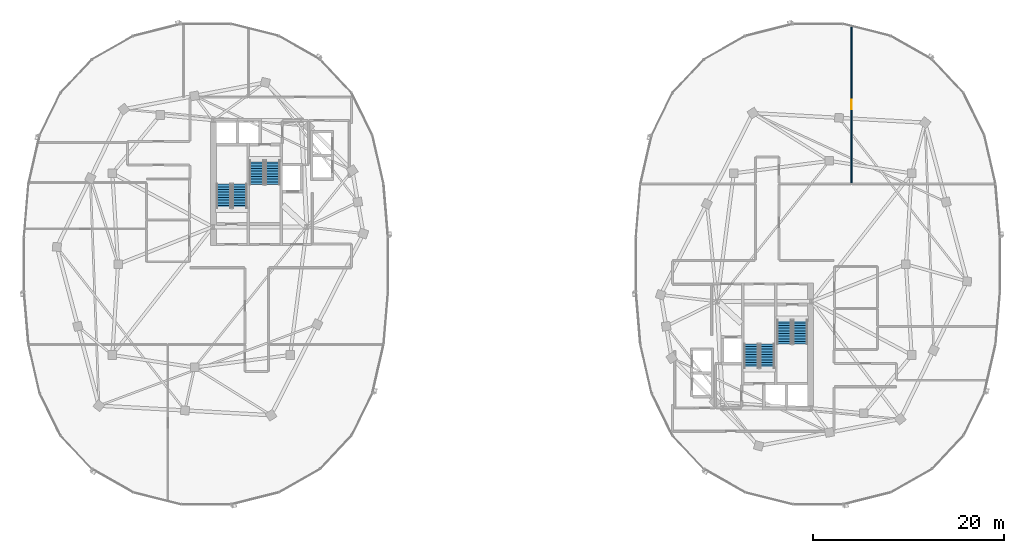
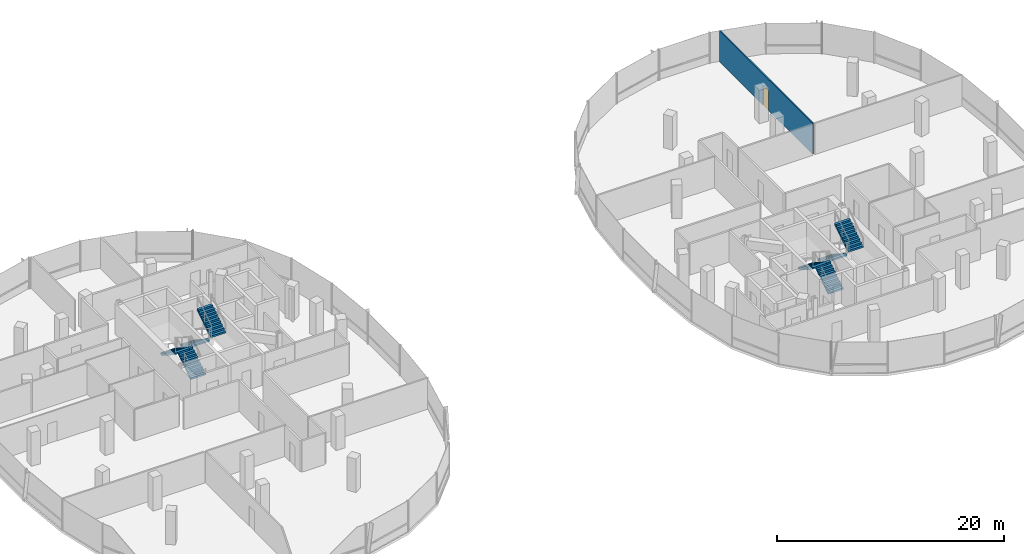
# One storey, part 18 of 25: 8 stair flights, 1 door, 1 wall, 1 opening, 4 elements without a shape of their own.
"""IFC4 building model written with IfcOpenShell, lengths in metres."""

import ifcopenshell
import ifcopenshell.guid

model = None  # the IFC model being written
_history = None  # IfcOwnerHistory: only IFC2X3 demands one
_inside = {}  # id of a spatial element -> (the spatial element, [elements in it])
_under = {}  # id of a project, library or spatial element -> (it, [spatial elements below it])
_declared = {}  # id of a project -> (the project, [libraries it declares])
_typed = {}  # id of a type object -> (the type object, [elements of that type])
_made_of = {}  # id of a material, layer set ... -> (it, [elements and type objects made of it])


def new_model(schema):
    """Start an empty IFC model of exactly this schema.

    Asked for "IFC4X3", IfcOpenShell would pick the latest addendum, in which some entities
    have other attributes; the version numbers below select the first issue.
    IFC2X3 requires an IfcOwnerHistory on every rooted entity: one is made here for all.
    """
    global model, _history
    if schema == "IFC4X3":
        model = ifcopenshell.file(schema_version=(4, 3, 0, 0))
    else:
        model = ifcopenshell.file(schema=schema)
    _inside.clear()
    _under.clear()
    _declared.clear()
    _typed.clear()
    _made_of.clear()
    _history = None
    if model.schema == "IFC2X3":
        org = make("IfcOrganization", Name="unknown")
        user = make(
            "IfcPersonAndOrganization",
            ThePerson=make("IfcPerson", FamilyName="unknown"),
            TheOrganization=org,
        )
        app = make(
            "IfcApplication",
            ApplicationDeveloper=org,
            Version="unknown",
            ApplicationFullName="unknown",
            ApplicationIdentifier="unknown",
        )
        _history = make(
            "IfcOwnerHistory",
            OwningUser=user,
            OwningApplication=app,
            ChangeAction="ADDED",
            CreationDate=0,
        )
    return model


def make(cls, **values):
    """One entity of the class cls with the attributes given. An attribute that is None is left unset."""
    return model.create_entity(
        cls, **{name: value for name, value in values.items() if value is not None}
    )


def rooted(cls, **values):
    """An entity with a GlobalId (a new one), such as an element, a storey or a relation."""
    return make(cls, GlobalId=ifcopenshell.guid.new(), OwnerHistory=_history, **values)


def si_unit(unit_type, name, prefix=None):
    """IfcSIUnit, for example si_unit("LENGTHUNIT", "METRE", prefix="MILLI")."""
    return make("IfcSIUnit", UnitType=unit_type, Prefix=prefix, Name=name)


def assignment(units):
    """IfcUnitAssignment: the units of a project."""
    return None if units is None else make("IfcUnitAssignment", Units=units)


def point(xyz):
    """IfcCartesianPoint."""
    return None if xyz is None else make("IfcCartesianPoint", Coordinates=xyz)


def direction(xyz):
    """IfcDirection."""
    return None if xyz is None else make("IfcDirection", DirectionRatios=xyz)


def frame(location, z_axis=None, x_axis=None):
    """IfcAxis2Placement3D, a coordinate frame: its origin and axes. An axis left out is left unset."""
    return make(
        "IfcAxis2Placement3D",
        Location=point(location),
        Axis=direction(z_axis),
        RefDirection=direction(x_axis),
    )


def frame_2d(location, x_axis=None):
    """IfcAxis2Placement2D, a coordinate frame in the plane: its origin and x axis."""
    return make(
        "IfcAxis2Placement2D", Location=point(location), RefDirection=direction(x_axis)
    )


def origin():
    """The frame at (0, 0, 0) with its axes left unset."""
    return frame((0.0, 0.0, 0.0))


def place(relative_to, where):
    """IfcLocalPlacement: puts the frame where relative to a parent placement (None: the world)."""
    return make(
        "IfcLocalPlacement", PlacementRelTo=relative_to, RelativePlacement=where
    )


def context(
    kind, dimensions, precision=None, world=None, true_north=None, identifier=None
):
    """IfcGeometricRepresentationContext, for example the 3D "Model" context."""
    return make(
        "IfcGeometricRepresentationContext",
        ContextIdentifier=identifier,
        ContextType=kind,
        CoordinateSpaceDimension=dimensions,
        Precision=precision,
        WorldCoordinateSystem=world,
        TrueNorth=true_north,
    )


def subcontext(parent, identifier, kind, view, scale=None):
    """IfcGeometricRepresentationSubContext, for example "Body" below "Model"."""
    return make(
        "IfcGeometricRepresentationSubContext",
        ContextIdentifier=identifier,
        ContextType=kind,
        ParentContext=parent,
        TargetScale=scale,
        TargetView=view,
    )


def project(units=None, contexts=None):
    """IfcProject with its units and contexts."""
    return rooted(
        "IfcProject",
        Name="project",
        RepresentationContexts=contexts,
        UnitsInContext=assignment(units),
    )


def spatial(cls, under=None, at=None, **own):
    """A site, building, storey or space (cls), placed at a placement, below another one or the project."""
    s = rooted(cls, ObjectPlacement=at, **own)
    if under is not None:
        _under.setdefault(under.id(), (under, []))[1].append(s)
    return s


def polyline(points):
    """IfcPolyline through the points."""
    return make("IfcPolyline", Points=[point(p) for p in points])


def profile(cls, at=None, kind="AREA", **sizes):
    """A parametric profile (cls). Its sizes go by their IFC names, for example OverallWidth=200.0."""
    return make(cls, ProfileType=kind, Position=at, **sizes)


def rectangle(**sizes):
    """IfcRectangleProfileDef."""
    return profile("IfcRectangleProfileDef", **sizes)


def outline(outer, holes=None, kind="AREA"):
    """IfcArbitraryClosedProfileDef: a profile drawn as a closed curve; with holes, ...WithVoids."""
    if holes is None:
        return make("IfcArbitraryClosedProfileDef", ProfileType=kind, OuterCurve=outer)
    return make(
        "IfcArbitraryProfileDefWithVoids",
        ProfileType=kind,
        OuterCurve=outer,
        InnerCurves=holes,
    )


def extrude(swept, where, along, depth):
    """IfcExtrudedAreaSolid: the profile swept, set in the frame where, extruded along a direction by depth."""
    return make(
        "IfcExtrudedAreaSolid",
        SweptArea=swept,
        Position=where,
        ExtrudedDirection=direction(along),
        Depth=depth,
    )


def shape(context_of_items, identifier, shape_type, items):
    """IfcShapeRepresentation: the items that make up one representation, for example the "Body"."""
    return make(
        "IfcShapeRepresentation",
        ContextOfItems=context_of_items,
        RepresentationIdentifier=identifier,
        RepresentationType=shape_type,
        Items=items,
    )


def material(Name=None, Category=None):
    """IfcMaterial."""
    return make("IfcMaterial", Name=Name, Category=Category)


def layer(
    of_material, thickness, ventilated=None, Name=None, Category=None, Priority=None
):
    """IfcMaterialLayer: one layer of a wall or slab, of a material (None: an air gap)."""
    return make(
        "IfcMaterialLayer",
        Material=of_material,
        LayerThickness=thickness,
        IsVentilated=ventilated,
        Name=Name,
        Category=Category,
        Priority=Priority,
    )


def layer_set(layers, Name=None):
    """IfcMaterialLayerSet."""
    return make("IfcMaterialLayerSet", MaterialLayers=layers, LayerSetName=Name)


def made_of(thing, what):
    """Note that an element or type object is made of a material, layer set ...; save() writes the relation."""
    if what is not None:
        _made_of.setdefault(what.id(), (what, []))[1].append(thing)
    return thing


def type_object(cls, material=None, **own):
    """A type object (cls), such as IfcWallType, which elements share."""
    return made_of(rooted(cls, **own), material)


def element(
    cls,
    number,
    at=None,
    inside=None,
    cuts=None,
    type_object=None,
    material=None,
    context=None,
    identifier="Body",
    shape_type=None,
    held_by="IfcProductDefinitionShape",
    body=None,
    shapes=None,
    **own,
):
    """One element of the class cls, such as IfcWall. Its Tag is "e" and its number.

    at: its placement. inside: the storey or other place that contains it. cuts: it is an
    opening in that element (IfcRelVoidsElement). A single representation is given by context,
    identifier, shape_type and body (its items); several are given by shapes. held_by: the class
    of the entity that holds the representations. save() writes the other relations.
    """
    e = rooted(cls, Tag="e%d" % number, ObjectPlacement=at, **own)
    if body is not None:
        shapes = [shape(context, identifier, shape_type, body)]
    if shapes is not None:
        e.Representation = make(held_by, Representations=shapes)
    if inside is not None:
        _inside.setdefault(inside.id(), (inside, []))[1].append(e)
    if cuts is not None:
        rooted(
            "IfcRelVoidsElement", RelatingBuildingElement=cuts, RelatedOpeningElement=e
        )
    if type_object is not None:
        _typed.setdefault(type_object.id(), (type_object, []))[1].append(e)
    return made_of(e, material)


def fill(opening, filler):
    """IfcRelFillsElement: the door or window that sits in an opening."""
    return rooted(
        "IfcRelFillsElement",
        RelatingOpeningElement=opening,
        RelatedBuildingElement=filler,
    )


def aggregate(whole, parts):
    """IfcRelAggregates: a whole, such as a stair, and the parts it consists of."""
    return rooted("IfcRelAggregates", RelatingObject=whole, RelatedObjects=parts)


def save(model, path):
    """Write the relations noted so far, then the file.

    IfcRelAggregates (storeys below a building ...), IfcRelContainedInSpatialStructure (elements
    in a storey), IfcRelDefinesByType, IfcRelAssociatesMaterial and IfcRelDeclares: one each for
    every whole, place, type object, material and project.
    """
    for whole, parts in _under.values():
        aggregate(whole, parts)
    for where, things in _inside.values():
        rooted(
            "IfcRelContainedInSpatialStructure",
            RelatedElements=things,
            RelatingStructure=where,
        )
    for kind, things in _typed.values():
        rooted("IfcRelDefinesByType", RelatedObjects=things, RelatingType=kind)
    for what, things in _made_of.values():
        rooted("IfcRelAssociatesMaterial", RelatedObjects=things, RelatingMaterial=what)
    for by, libraries in _declared.values():
        rooted("IfcRelDeclares", RelatingContext=by, RelatedDefinitions=libraries)
    model.write(path)


model = new_model("IFC4")

# Units and contexts
model_context = context("Model", 3, precision=1e-05, world=origin(), true_north=direction((0.0, 1.0)))
body_context = subcontext(model_context, "Body", "Model", "MODEL_VIEW")
ifc_project = project(units=[si_unit("LENGTHUNIT", "METRE"), si_unit("AREAUNIT", "SQUARE_METRE"), si_unit("VOLUMEUNIT", "CUBIC_METRE"), si_unit("PLANEANGLEUNIT", "RADIAN"), si_unit("MASSUNIT", "GRAM", prefix="KILO"), si_unit("THERMODYNAMICTEMPERATUREUNIT", "KELVIN"), si_unit("POWERUNIT", "WATT")], contexts=[model_context])

# Site, building, storey
site_placement = place(None, origin())
site = spatial("IfcSite", under=ifc_project, at=site_placement, CompositionType="ELEMENT")
building_placement = place(site_placement, origin())
building = spatial("IfcBuilding", under=site, at=building_placement, Name="Cundina Bronze Exchange", CompositionType="ELEMENT")
storey_placement = place(building_placement, frame((0.0, 0.0, 206.199951171875)))
storey = spatial("IfcBuildingStorey", under=building, at=storey_placement, Name="L54", CompositionType="ELEMENT", Elevation=206.199951171875)

# Wall, opening, door
ifc_material_1 = material(Name="Gypsum Acoustic Partition EI60")
ifc_layer = layer(ifc_material_1, 0.125, Name="Gypsum Acoustic Partition EI60")
ifc_layer_set = layer_set([ifc_layer], Name="Gypsum Acoustic Partition EI60")
wall_type = type_object("IfcWallType", Name="WL-OFF-125", PredefinedType="PARTITIONING", material=ifc_layer_set)
wall_placement = place(storey_placement, frame((35.510009765625, 8.489990234375, 0.0), z_axis=(0.0, 0.0, 1.0), x_axis=(0.0, 1.0, 0.0)))
wall = element("IfcWall", 1, at=wall_placement, inside=storey, type_object=wall_type, Name="L54 Interior Partition 080", PredefinedType="PARTITIONING", context=body_context, shape_type="SweptSolid", body=[
    extrude(rectangle(XDim=16.3955078125, YDim=0.125, at=frame_2d((8.19775390625, 0.0))), origin(), (0.0, 0.0, 1.0), 3.340087890625),
])
opening_placement = place(wall_placement, frame((7.69775390625, 0.0, 0.0)))
opening = element("IfcOpeningElement", 2, at=opening_placement, cuts=wall, Name="Opening DO-01", PredefinedType="OPENING", context=body_context, shape_type="SweptSolid", body=[
    extrude(rectangle(XDim=1.0, YDim=2.14990234375, at=frame_2d((0.5, 1.074951171875))), frame((0.0, 0.072509765625, 0.0), z_axis=(0.0, -1.0, 0.0), x_axis=(1.0, 0.0, 0.0)), (0.0, 0.0, 1.0), 0.14501953125),
])
ifc_material_2 = material(Name="Solid Andean Oak Timber Grade A", Category="wood")
door_type = type_object("IfcDoorType", Name="DR-OFF-1000", OperationType="NOTDEFINED", PredefinedType="DOOR", material=ifc_material_2)
door_placement = place(opening_placement, origin())
door = element("IfcDoor", 3, at=door_placement, inside=storey, type_object=door_type, Name="L54 Interior Door 080", OperationType="SINGLE_SWING_RIGHT", OverallHeight=2.14990234375, OverallWidth=1.0, PredefinedType="DOOR", context=body_context, shape_type="SweptSolid", body=[
    extrude(rectangle(XDim=1.0, YDim=2.14990234375, at=frame_2d((0.5, 1.074951171875))), frame((0.0, 0.02490234375, 0.0), z_axis=(0.0, -1.0, 0.0), x_axis=(1.0, 0.0, 0.0)), (0.0, 0.0, 1.0), 0.050048828125),
])
fill(opening, door)

# Stair, stair flights
ifc_material_3 = material(Name="Concrete C40/50", Category="concrete")
stair_type = type_object("IfcStairType", Name="STR-OFF-360", PredefinedType="HALF_TURN_STAIR", material=ifc_material_3)
stair_1_placement = place(storey_placement, origin())
stair_1 = element("IfcStair", 4, at=stair_1_placement, inside=storey, type_object=stair_type, Name="L54 Smokeproof Exit Stair W1", PredefinedType="HALF_TURN_STAIR")
stair_flight_type = type_object("IfcStairFlightType", Name="FLG-OFF-180", PredefinedType="STRAIGHT", material=ifc_material_3)
stair_flight_1_placement = place(storey_placement, frame((-28.489990234375, 5.85009765625, 0.0), z_axis=(0.0, 0.0, 1.0), x_axis=(0.0, 1.0, 0.0)))
stair_flight_1 = element("IfcStairFlight", 5, at=stair_flight_1_placement, type_object=stair_flight_type, Name="ST-W1 flight 1", NumberOfRisers=10, NumberOfTreads=9, PredefinedType="STRAIGHT", RiserHeight=0.18, TreadLength=0.28, context=body_context, shape_type="SweptSolid", body=[
    extrude(outline(polyline([(0.0, 0.0), (0.0, 0.179931640625), (0.280029296875, 0.179931640625), (0.280029296875, 0.360107421875), (0.56005859375, 0.360107421875), (0.56005859375, 0.5400390625), (0.840087890625, 0.5400390625), (0.840087890625, 0.719970703125), (1.1201171875, 0.719970703125), (1.1201171875, 0.89990234375), (1.39990234375, 0.89990234375), (1.39990234375, 1.080078125), (1.679931640625, 1.080078125), (1.679931640625, 1.260009765625), (1.9599609375, 1.260009765625), (1.9599609375, 1.43994140625), (2.239990234375, 1.43994140625), (2.239990234375, 1.6201171875), (2.52001953125, 1.6201171875), (2.52001953125, 1.800048828125), (2.52001953125, 1.44189453125), (0.277099609375, 0.0), (0.0, 0.0)])), frame((0.0, 0.75, 0.0), z_axis=(0.0, -1.0, 0.0), x_axis=(1.0, 0.0, 0.0)), (0.0, 0.0, 1.0), 1.5),
])
stair_flight_2_placement = place(storey_placement, frame((-30.14990234375, 8.3701171875, 1.800048828125), z_axis=(0.0, 0.0, 1.0), x_axis=(0.0, -1.0, 0.0)))
stair_flight_2 = element("IfcStairFlight", 6, at=stair_flight_2_placement, type_object=stair_flight_type, Name="ST-W1 flight 2", NumberOfRisers=10, NumberOfTreads=9, PredefinedType="STRAIGHT", RiserHeight=0.18, TreadLength=0.28, context=body_context, shape_type="SweptSolid", body=[
    extrude(outline(polyline([(0.0, 0.0), (0.0, 0.179931640625), (0.280029296875, 0.179931640625), (0.280029296875, 0.360107421875), (0.56005859375, 0.360107421875), (0.56005859375, 0.5400390625), (0.840087890625, 0.5400390625), (0.840087890625, 0.719970703125), (1.1201171875, 0.719970703125), (1.1201171875, 0.89990234375), (1.39990234375, 0.89990234375), (1.39990234375, 1.080078125), (1.679931640625, 1.080078125), (1.679931640625, 1.260009765625), (1.9599609375, 1.260009765625), (1.9599609375, 1.43994140625), (2.239990234375, 1.43994140625), (2.239990234375, 1.6201171875), (2.52001953125, 1.6201171875), (2.52001953125, 1.800048828125), (2.52001953125, 1.44189453125), (0.277099609375, 0.0), (0.0, 0.0)])), frame((0.0, 0.75, 0.0), z_axis=(0.0, -1.0, 0.0), x_axis=(1.0, 0.0, 0.0)), (0.0, 0.0, 1.0), 1.5),
])
aggregate(stair_1, [stair_flight_1, stair_flight_2])

stair_2_placement = place(storey_placement, origin())
stair_2 = element("IfcStair", 7, at=stair_2_placement, inside=storey, type_object=stair_type, Name="L54 Smokeproof Exit Stair W2", PredefinedType="HALF_TURN_STAIR")
stair_flight_3_placement = place(storey_placement, frame((-26.68994140625, 10.85009765625, 0.0), z_axis=(0.0, 0.0, 1.0), x_axis=(0.0, -1.0, 0.0)))
stair_flight_3 = element("IfcStairFlight", 8, at=stair_flight_3_placement, type_object=stair_flight_type, Name="ST-W2 flight 1", NumberOfRisers=10, NumberOfTreads=9, PredefinedType="STRAIGHT", RiserHeight=0.18, TreadLength=0.28, context=body_context, shape_type="SweptSolid", body=[
    extrude(outline(polyline([(0.0, 0.0), (0.0, 0.179931640625), (0.280029296875, 0.179931640625), (0.280029296875, 0.360107421875), (0.56005859375, 0.360107421875), (0.56005859375, 0.5400390625), (0.840087890625, 0.5400390625), (0.840087890625, 0.719970703125), (1.1201171875, 0.719970703125), (1.1201171875, 0.89990234375), (1.39990234375, 0.89990234375), (1.39990234375, 1.080078125), (1.679931640625, 1.080078125), (1.679931640625, 1.260009765625), (1.9599609375, 1.260009765625), (1.9599609375, 1.43994140625), (2.239990234375, 1.43994140625), (2.239990234375, 1.6201171875), (2.52001953125, 1.6201171875), (2.52001953125, 1.800048828125), (2.52001953125, 1.44189453125), (0.277099609375, 0.0), (0.0, 0.0)])), frame((0.0, 0.75, 0.0), z_axis=(0.0, -1.0, 0.0), x_axis=(1.0, 0.0, 0.0)), (0.0, 0.0, 1.0), 1.5),
])
stair_flight_4_placement = place(storey_placement, frame((-25.030029296875, 8.330078125, 1.800048828125), z_axis=(0.0, 0.0, 1.0), x_axis=(0.0, 1.0, 0.0)))
stair_flight_4 = element("IfcStairFlight", 9, at=stair_flight_4_placement, type_object=stair_flight_type, Name="ST-W2 flight 2", NumberOfRisers=10, NumberOfTreads=9, PredefinedType="STRAIGHT", RiserHeight=0.18, TreadLength=0.28, context=body_context, shape_type="SweptSolid", body=[
    extrude(outline(polyline([(0.0, 0.0), (0.0, 0.179931640625), (0.280029296875, 0.179931640625), (0.280029296875, 0.360107421875), (0.56005859375, 0.360107421875), (0.56005859375, 0.5400390625), (0.840087890625, 0.5400390625), (0.840087890625, 0.719970703125), (1.1201171875, 0.719970703125), (1.1201171875, 0.89990234375), (1.39990234375, 0.89990234375), (1.39990234375, 1.080078125), (1.679931640625, 1.080078125), (1.679931640625, 1.260009765625), (1.9599609375, 1.260009765625), (1.9599609375, 1.43994140625), (2.239990234375, 1.43994140625), (2.239990234375, 1.6201171875), (2.52001953125, 1.6201171875), (2.52001953125, 1.800048828125), (2.52001953125, 1.44189453125), (0.277099609375, 0.0), (0.0, 0.0)])), frame((0.0, 0.75, 0.0), z_axis=(0.0, -1.0, 0.0), x_axis=(1.0, 0.0, 0.0)), (0.0, 0.0, 1.0), 1.5),
])
aggregate(stair_2, [stair_flight_3, stair_flight_4])

stair_3_placement = place(storey_placement, origin())
stair_3 = element("IfcStair", 10, at=stair_3_placement, inside=storey, type_object=stair_type, Name="L54 Smokeproof Exit Stair E1", PredefinedType="HALF_TURN_STAIR")
stair_flight_5_placement = place(storey_placement, frame((28.489990234375, -5.85009765625, 0.0), z_axis=(0.0, 0.0, 1.0), x_axis=(0.0, -1.0, 0.0)))
stair_flight_5 = element("IfcStairFlight", 11, at=stair_flight_5_placement, type_object=stair_flight_type, Name="ST-E1 flight 1", NumberOfRisers=10, NumberOfTreads=9, PredefinedType="STRAIGHT", RiserHeight=0.18, TreadLength=0.28, context=body_context, shape_type="SweptSolid", body=[
    extrude(outline(polyline([(0.0, 0.0), (0.0, 0.179931640625), (0.280029296875, 0.179931640625), (0.280029296875, 0.360107421875), (0.56005859375, 0.360107421875), (0.56005859375, 0.5400390625), (0.840087890625, 0.5400390625), (0.840087890625, 0.719970703125), (1.1201171875, 0.719970703125), (1.1201171875, 0.89990234375), (1.39990234375, 0.89990234375), (1.39990234375, 1.080078125), (1.679931640625, 1.080078125), (1.679931640625, 1.260009765625), (1.9599609375, 1.260009765625), (1.9599609375, 1.43994140625), (2.239990234375, 1.43994140625), (2.239990234375, 1.6201171875), (2.52001953125, 1.6201171875), (2.52001953125, 1.800048828125), (2.52001953125, 1.44189453125), (0.277099609375, 0.0), (0.0, 0.0)])), frame((0.0, 0.75, 0.0), z_axis=(0.0, -1.0, 0.0), x_axis=(1.0, 0.0, 0.0)), (0.0, 0.0, 1.0), 1.5),
])
stair_flight_6_placement = place(storey_placement, frame((30.14990234375, -8.3701171875, 1.800048828125), z_axis=(0.0, 0.0, 1.0), x_axis=(0.0, 1.0, 0.0)))
stair_flight_6 = element("IfcStairFlight", 12, at=stair_flight_6_placement, type_object=stair_flight_type, Name="ST-E1 flight 2", NumberOfRisers=10, NumberOfTreads=9, PredefinedType="STRAIGHT", RiserHeight=0.18, TreadLength=0.28, context=body_context, shape_type="SweptSolid", body=[
    extrude(outline(polyline([(0.0, 0.0), (0.0, 0.179931640625), (0.280029296875, 0.179931640625), (0.280029296875, 0.360107421875), (0.56005859375, 0.360107421875), (0.56005859375, 0.5400390625), (0.840087890625, 0.5400390625), (0.840087890625, 0.719970703125), (1.1201171875, 0.719970703125), (1.1201171875, 0.89990234375), (1.39990234375, 0.89990234375), (1.39990234375, 1.080078125), (1.679931640625, 1.080078125), (1.679931640625, 1.260009765625), (1.9599609375, 1.260009765625), (1.9599609375, 1.43994140625), (2.239990234375, 1.43994140625), (2.239990234375, 1.6201171875), (2.52001953125, 1.6201171875), (2.52001953125, 1.800048828125), (2.52001953125, 1.44189453125), (0.277099609375, 0.0), (0.0, 0.0)])), frame((0.0, 0.75, 0.0), z_axis=(0.0, -1.0, 0.0), x_axis=(1.0, 0.0, 0.0)), (0.0, 0.0, 1.0), 1.5),
])
aggregate(stair_3, [stair_flight_5, stair_flight_6])

stair_4_placement = place(storey_placement, origin())
stair_4 = element("IfcStair", 13, at=stair_4_placement, inside=storey, type_object=stair_type, Name="L54 Smokeproof Exit Stair E2", PredefinedType="HALF_TURN_STAIR")
stair_flight_7_placement = place(storey_placement, frame((26.68994140625, -10.85009765625, 0.0), z_axis=(0.0, 0.0, 1.0), x_axis=(0.0, 1.0, 0.0)))
stair_flight_7 = element("IfcStairFlight", 14, at=stair_flight_7_placement, type_object=stair_flight_type, Name="ST-E2 flight 1", NumberOfRisers=10, NumberOfTreads=9, PredefinedType="STRAIGHT", RiserHeight=0.18, TreadLength=0.28, context=body_context, shape_type="SweptSolid", body=[
    extrude(outline(polyline([(0.0, 0.0), (0.0, 0.179931640625), (0.280029296875, 0.179931640625), (0.280029296875, 0.360107421875), (0.56005859375, 0.360107421875), (0.56005859375, 0.5400390625), (0.840087890625, 0.5400390625), (0.840087890625, 0.719970703125), (1.1201171875, 0.719970703125), (1.1201171875, 0.89990234375), (1.39990234375, 0.89990234375), (1.39990234375, 1.080078125), (1.679931640625, 1.080078125), (1.679931640625, 1.260009765625), (1.9599609375, 1.260009765625), (1.9599609375, 1.43994140625), (2.239990234375, 1.43994140625), (2.239990234375, 1.6201171875), (2.52001953125, 1.6201171875), (2.52001953125, 1.800048828125), (2.52001953125, 1.44189453125), (0.277099609375, 0.0), (0.0, 0.0)])), frame((0.0, 0.75, 0.0), z_axis=(0.0, -1.0, 0.0), x_axis=(1.0, 0.0, 0.0)), (0.0, 0.0, 1.0), 1.5),
])
stair_flight_8_placement = place(storey_placement, frame((25.030029296875, -8.330078125, 1.800048828125), z_axis=(0.0, 0.0, 1.0), x_axis=(0.0, -1.0, 0.0)))
stair_flight_8 = element("IfcStairFlight", 15, at=stair_flight_8_placement, type_object=stair_flight_type, Name="ST-E2 flight 2", NumberOfRisers=10, NumberOfTreads=9, PredefinedType="STRAIGHT", RiserHeight=0.18, TreadLength=0.28, context=body_context, shape_type="SweptSolid", body=[
    extrude(outline(polyline([(0.0, 0.0), (0.0, 0.179931640625), (0.280029296875, 0.179931640625), (0.280029296875, 0.360107421875), (0.56005859375, 0.360107421875), (0.56005859375, 0.5400390625), (0.840087890625, 0.5400390625), (0.840087890625, 0.719970703125), (1.1201171875, 0.719970703125), (1.1201171875, 0.89990234375), (1.39990234375, 0.89990234375), (1.39990234375, 1.080078125), (1.679931640625, 1.080078125), (1.679931640625, 1.260009765625), (1.9599609375, 1.260009765625), (1.9599609375, 1.43994140625), (2.239990234375, 1.43994140625), (2.239990234375, 1.6201171875), (2.52001953125, 1.6201171875), (2.52001953125, 1.800048828125), (2.52001953125, 1.44189453125), (0.277099609375, 0.0), (0.0, 0.0)])), frame((0.0, 0.75, 0.0), z_axis=(0.0, -1.0, 0.0), x_axis=(1.0, 0.0, 0.0)), (0.0, 0.0, 1.0), 1.5),
])
aggregate(stair_4, [stair_flight_7, stair_flight_8])

save(model, "model.ifc")
